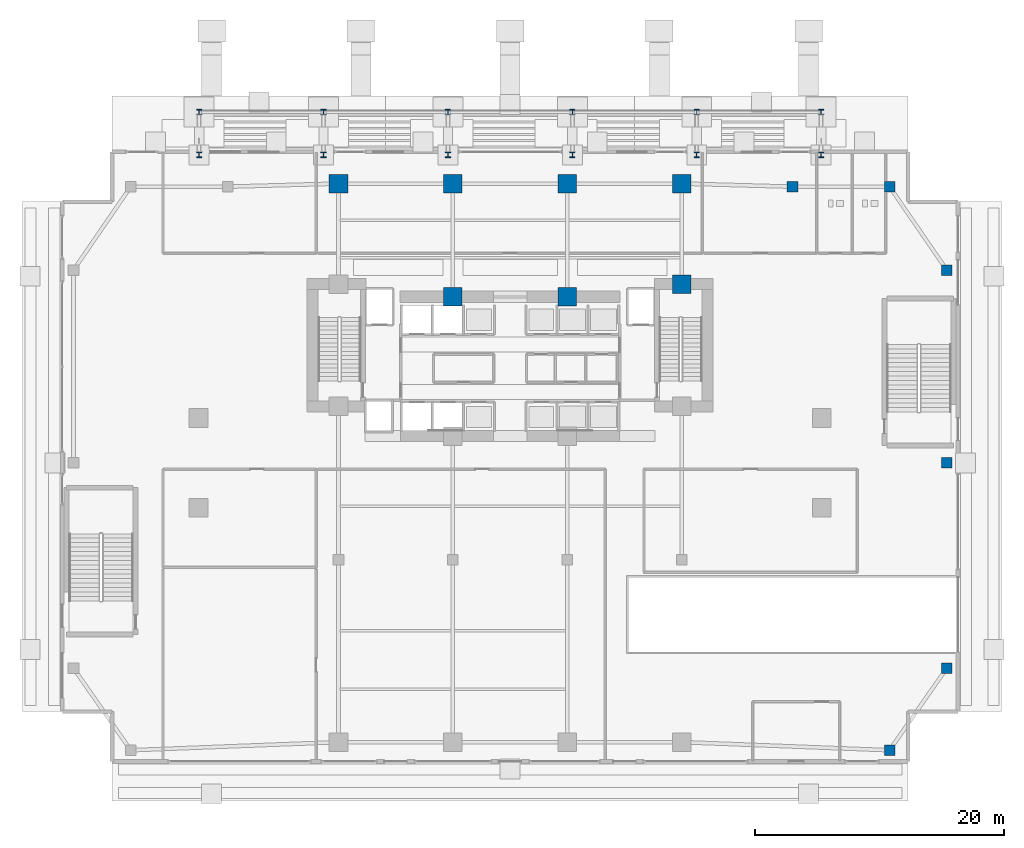
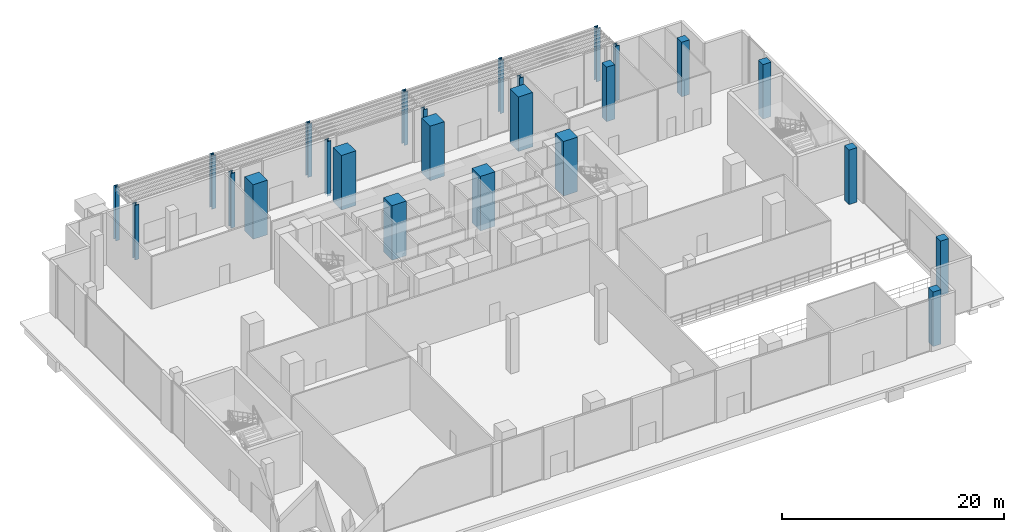
# One storey, part 2 of 39: 25 columns.
"""IFC4 building model written with IfcOpenShell, lengths in metres."""

import ifcopenshell
import ifcopenshell.guid

model = None  # the IFC model being written
_history = None  # IfcOwnerHistory: only IFC2X3 demands one
_inside = {}  # id of a spatial element -> (the spatial element, [elements in it])
_under = {}  # id of a project, library or spatial element -> (it, [spatial elements below it])
_declared = {}  # id of a project -> (the project, [libraries it declares])
_typed = {}  # id of a type object -> (the type object, [elements of that type])
_made_of = {}  # id of a material, layer set ... -> (it, [elements and type objects made of it])


def new_model(schema):
    """Start an empty IFC model of exactly this schema.

    Asked for "IFC4X3", IfcOpenShell would pick the latest addendum, in which some entities
    have other attributes; the version numbers below select the first issue.
    IFC2X3 requires an IfcOwnerHistory on every rooted entity: one is made here for all.
    """
    global model, _history
    if schema == "IFC4X3":
        model = ifcopenshell.file(schema_version=(4, 3, 0, 0))
    else:
        model = ifcopenshell.file(schema=schema)
    _inside.clear()
    _under.clear()
    _declared.clear()
    _typed.clear()
    _made_of.clear()
    _history = None
    if model.schema == "IFC2X3":
        org = make("IfcOrganization", Name="unknown")
        user = make(
            "IfcPersonAndOrganization",
            ThePerson=make("IfcPerson", FamilyName="unknown"),
            TheOrganization=org,
        )
        app = make(
            "IfcApplication",
            ApplicationDeveloper=org,
            Version="unknown",
            ApplicationFullName="unknown",
            ApplicationIdentifier="unknown",
        )
        _history = make(
            "IfcOwnerHistory",
            OwningUser=user,
            OwningApplication=app,
            ChangeAction="ADDED",
            CreationDate=0,
        )
    return model


def make(cls, **values):
    """One entity of the class cls with the attributes given. An attribute that is None is left unset."""
    return model.create_entity(
        cls, **{name: value for name, value in values.items() if value is not None}
    )


def rooted(cls, **values):
    """An entity with a GlobalId (a new one), such as an element, a storey or a relation."""
    return make(cls, GlobalId=ifcopenshell.guid.new(), OwnerHistory=_history, **values)


def si_unit(unit_type, name, prefix=None):
    """IfcSIUnit, for example si_unit("LENGTHUNIT", "METRE", prefix="MILLI")."""
    return make("IfcSIUnit", UnitType=unit_type, Prefix=prefix, Name=name)


def assignment(units):
    """IfcUnitAssignment: the units of a project."""
    return None if units is None else make("IfcUnitAssignment", Units=units)


def point(xyz):
    """IfcCartesianPoint."""
    return None if xyz is None else make("IfcCartesianPoint", Coordinates=xyz)


def direction(xyz):
    """IfcDirection."""
    return None if xyz is None else make("IfcDirection", DirectionRatios=xyz)


def frame(location, z_axis=None, x_axis=None):
    """IfcAxis2Placement3D, a coordinate frame: its origin and axes. An axis left out is left unset."""
    return make(
        "IfcAxis2Placement3D",
        Location=point(location),
        Axis=direction(z_axis),
        RefDirection=direction(x_axis),
    )


def frame_2d(location, x_axis=None):
    """IfcAxis2Placement2D, a coordinate frame in the plane: its origin and x axis."""
    return make(
        "IfcAxis2Placement2D", Location=point(location), RefDirection=direction(x_axis)
    )


def origin():
    """The frame at (0, 0, 0) with its axes left unset."""
    return frame((0.0, 0.0, 0.0))


def origin_2d():
    """The frame at (0, 0) in the plane with its x axis left unset."""
    return frame_2d((0.0, 0.0))


def place(relative_to, where):
    """IfcLocalPlacement: puts the frame where relative to a parent placement (None: the world)."""
    return make(
        "IfcLocalPlacement", PlacementRelTo=relative_to, RelativePlacement=where
    )


def context(
    kind, dimensions, precision=None, world=None, true_north=None, identifier=None
):
    """IfcGeometricRepresentationContext, for example the 3D "Model" context."""
    return make(
        "IfcGeometricRepresentationContext",
        ContextIdentifier=identifier,
        ContextType=kind,
        CoordinateSpaceDimension=dimensions,
        Precision=precision,
        WorldCoordinateSystem=world,
        TrueNorth=true_north,
    )


def subcontext(parent, identifier, kind, view, scale=None):
    """IfcGeometricRepresentationSubContext, for example "Body" below "Model"."""
    return make(
        "IfcGeometricRepresentationSubContext",
        ContextIdentifier=identifier,
        ContextType=kind,
        ParentContext=parent,
        TargetScale=scale,
        TargetView=view,
    )


def project(units=None, contexts=None):
    """IfcProject with its units and contexts."""
    return rooted(
        "IfcProject",
        Name="project",
        RepresentationContexts=contexts,
        UnitsInContext=assignment(units),
    )


def spatial(cls, under=None, at=None, **own):
    """A site, building, storey or space (cls), placed at a placement, below another one or the project."""
    s = rooted(cls, ObjectPlacement=at, **own)
    if under is not None:
        _under.setdefault(under.id(), (under, []))[1].append(s)
    return s


def profile(cls, at=None, kind="AREA", **sizes):
    """A parametric profile (cls). Its sizes go by their IFC names, for example OverallWidth=200.0."""
    return make(cls, ProfileType=kind, Position=at, **sizes)


def rectangle(**sizes):
    """IfcRectangleProfileDef."""
    return profile("IfcRectangleProfileDef", **sizes)


def i_section(**sizes):
    """IfcIShapeProfileDef."""
    return profile("IfcIShapeProfileDef", **sizes)


def extrude(swept, where, along, depth):
    """IfcExtrudedAreaSolid: the profile swept, set in the frame where, extruded along a direction by depth."""
    return make(
        "IfcExtrudedAreaSolid",
        SweptArea=swept,
        Position=where,
        ExtrudedDirection=direction(along),
        Depth=depth,
    )


def shape(context_of_items, identifier, shape_type, items):
    """IfcShapeRepresentation: the items that make up one representation, for example the "Body"."""
    return make(
        "IfcShapeRepresentation",
        ContextOfItems=context_of_items,
        RepresentationIdentifier=identifier,
        RepresentationType=shape_type,
        Items=items,
    )


def material(Name=None, Category=None):
    """IfcMaterial."""
    return make("IfcMaterial", Name=Name, Category=Category)


def material_profile(
    of_material, cross_section, Name=None, Category=None, Priority=None
):
    """IfcMaterialProfile: a cross section and its material."""
    return make(
        "IfcMaterialProfile",
        Name=Name,
        Material=of_material,
        Profile=cross_section,
        Priority=Priority,
        Category=Category,
    )


def profile_set(profiles, Name=None, composite=None):
    """IfcMaterialProfileSet."""
    return make(
        "IfcMaterialProfileSet",
        Name=Name,
        MaterialProfiles=profiles,
        CompositeProfile=composite,
    )


def made_of(thing, what):
    """Note that an element or type object is made of a material, layer set ...; save() writes the relation."""
    if what is not None:
        _made_of.setdefault(what.id(), (what, []))[1].append(thing)
    return thing


def type_object(cls, material=None, **own):
    """A type object (cls), such as IfcWallType, which elements share."""
    return made_of(rooted(cls, **own), material)


def element(
    cls,
    number,
    at=None,
    inside=None,
    cuts=None,
    type_object=None,
    material=None,
    context=None,
    identifier="Body",
    shape_type=None,
    held_by="IfcProductDefinitionShape",
    body=None,
    shapes=None,
    **own,
):
    """One element of the class cls, such as IfcWall. Its Tag is "e" and its number.

    at: its placement. inside: the storey or other place that contains it. cuts: it is an
    opening in that element (IfcRelVoidsElement). A single representation is given by context,
    identifier, shape_type and body (its items); several are given by shapes. held_by: the class
    of the entity that holds the representations. save() writes the other relations.
    """
    e = rooted(cls, Tag="e%d" % number, ObjectPlacement=at, **own)
    if body is not None:
        shapes = [shape(context, identifier, shape_type, body)]
    if shapes is not None:
        e.Representation = make(held_by, Representations=shapes)
    if inside is not None:
        _inside.setdefault(inside.id(), (inside, []))[1].append(e)
    if cuts is not None:
        rooted(
            "IfcRelVoidsElement", RelatingBuildingElement=cuts, RelatedOpeningElement=e
        )
    if type_object is not None:
        _typed.setdefault(type_object.id(), (type_object, []))[1].append(e)
    return made_of(e, material)


def aggregate(whole, parts):
    """IfcRelAggregates: a whole, such as a stair, and the parts it consists of."""
    return rooted("IfcRelAggregates", RelatingObject=whole, RelatedObjects=parts)


def save(model, path):
    """Write the relations noted so far, then the file.

    IfcRelAggregates (storeys below a building ...), IfcRelContainedInSpatialStructure (elements
    in a storey), IfcRelDefinesByType, IfcRelAssociatesMaterial and IfcRelDeclares: one each for
    every whole, place, type object, material and project.
    """
    for whole, parts in _under.values():
        aggregate(whole, parts)
    for where, things in _inside.values():
        rooted(
            "IfcRelContainedInSpatialStructure",
            RelatedElements=things,
            RelatingStructure=where,
        )
    for kind, things in _typed.values():
        rooted("IfcRelDefinesByType", RelatedObjects=things, RelatingType=kind)
    for what, things in _made_of.values():
        rooted("IfcRelAssociatesMaterial", RelatedObjects=things, RelatingMaterial=what)
    for by, libraries in _declared.values():
        rooted("IfcRelDeclares", RelatingContext=by, RelatedDefinitions=libraries)
    model.write(path)


model = new_model("IFC4")

# Units and contexts
model_context = context("Model", 3, precision=1e-05, world=origin(), true_north=direction((0.0, 1.0)))
body_context = subcontext(model_context, "Body", "Model", "MODEL_VIEW")
ifc_project = project(units=[si_unit("LENGTHUNIT", "METRE"), si_unit("AREAUNIT", "SQUARE_METRE"), si_unit("VOLUMEUNIT", "CUBIC_METRE"), si_unit("PLANEANGLEUNIT", "RADIAN"), si_unit("MASSUNIT", "GRAM", prefix="KILO")], contexts=[model_context])

# Site, building, storey
site_placement = place(None, origin())
site = spatial("IfcSite", under=ifc_project, at=site_placement, CompositionType="ELEMENT")
building_placement = place(site_placement, origin())
building = spatial("IfcBuilding", under=site, at=building_placement, Name="Zuhayl Quay Hotel", CompositionType="ELEMENT")
storey_placement = place(building_placement, origin())
storey = spatial("IfcBuildingStorey", under=building, at=storey_placement, Name="L00", CompositionType="ELEMENT", Elevation=0.0)

# Columns
ifc_material_1 = material(Name="Concrete C70/85", Category="concrete")
ifc_material_profile_1 = material_profile(ifc_material_1, rectangle(XDim=1.5, YDim=1.5, at=origin_2d()), Name="RC1500X1500")
ifc_profile_set_1 = profile_set([ifc_material_profile_1], Name="Concrete C70/85")
column_type_1 = type_object("IfcColumnType", Name="CL_CC1_1500", PredefinedType="COLUMN", material=ifc_profile_set_1)
for number, where, z_axis, x_axis, name in (
    (1, (-4.60009765625, 13.35009765625, 0.0), (0.0, 0.0, 1.0), (1.0, 0.0, 0.0), "L00 Core Column CC_CNW"),
    (2, (4.60009765625, 13.35009765625, 0.0), (0.0, 0.0, 1.0), (1.0, 0.0, 0.0), "L00 Core Column CC_CNE"),
    (3, (13.800048828125, 14.35009765625, 0.0), (0.0, 0.0, 1.0), (1.0, 0.0, 0.0), "L00 Core Column CC_NE"),
):
    element("IfcColumn", number, at=place(storey_placement, frame(where, z_axis=z_axis, x_axis=x_axis)), inside=storey, type_object=column_type_1, Name=name, PredefinedType="COLUMN", context=body_context, shape_type="SweptSolid", body=[
        extrude(rectangle(XDim=1.5, YDim=1.5, at=origin_2d()), origin(), (0.0, 0.0, 1.0), 6.0),
    ])
ifc_material_profile_2 = material_profile(ifc_material_1, rectangle(XDim=1.5, YDim=1.5, at=origin_2d()), Name="RC1500X1500")
ifc_profile_set_2 = profile_set([ifc_material_profile_2], Name="Concrete C70/85")
column_type_2 = type_object("IfcColumnType", Name="CL_MC1_1500", PredefinedType="COLUMN", material=ifc_profile_set_2)
for number, where, z_axis, x_axis, name in (
    (4, (-13.800048828125, 22.449951171875, 0.0), (0.0, 0.0, 1.0), (1.0, 0.0, 0.0), "L00 Mega-Column MC_N1"),
    (5, (-4.60009765625, 22.449951171875, 0.0), (0.0, 0.0, 1.0), (1.0, 0.0, 0.0), "L00 Mega-Column MC_N2"),
    (6, (4.60009765625, 22.449951171875, 0.0), (0.0, 0.0, 1.0), (1.0, 0.0, 0.0), "L00 Mega-Column MC_N3"),
    (7, (13.800048828125, 22.449951171875, 0.0), (0.0, 0.0, 1.0), (1.0, 0.0, 0.0), "L00 Mega-Column MC_N4"),
):
    element("IfcColumn", number, at=place(storey_placement, frame(where, z_axis=z_axis, x_axis=x_axis)), inside=storey, type_object=column_type_2, Name=name, PredefinedType="COLUMN", context=body_context, shape_type="SweptSolid", body=[
        extrude(rectangle(XDim=1.5, YDim=1.5, at=origin_2d()), origin(), (0.0, 0.0, 1.0), 6.0),
    ])
ifc_material_2 = material(Name="Concrete C50/60", Category="concrete")
ifc_material_profile_3 = material_profile(ifc_material_2, rectangle(XDim=0.85009765625, YDim=0.85009765625, at=origin_2d()), Name="RC850X850")
ifc_profile_set_3 = profile_set([ifc_material_profile_3], Name="Concrete C50/60")
column_type_3 = type_object("IfcColumnType", Name="CL_PC1_850", PredefinedType="COLUMN", material=ifc_profile_set_3)
for number, where, z_axis, x_axis, name in (
    (8, (30.5, -23.10009765625, 0.0), (0.0, 0.0, 1.0), (1.0, 0.0, 0.0), "L00 Podium Column PC_SE"),
    (9, (30.5, 22.199951171875, 0.0), (0.0, 0.0, 1.0), (1.0, 0.0, 0.0), "L00 Podium Column PC_NE"),
    (10, (35.10009765625, -16.5, 0.0), (0.0, 0.0, 1.0), (1.0, 0.0, 0.0), "L00 Podium Column PC_E1"),
    (11, (35.10009765625, 0.0, 0.0), (0.0, 0.0, 1.0), (1.0, 0.0, 0.0), "L00 Podium Column PC_E2"),
    (12, (35.10009765625, 15.5, 0.0), (0.0, 0.0, 1.0), (1.0, 0.0, 0.0), "L00 Podium Column PC_E3"),
    (13, (22.699951171875, 22.199951171875, 0.0), (0.0, 0.0, 1.0), (1.0, 0.0, 0.0), "L00 Podium Column PC_N2"),
):
    element("IfcColumn", number, at=place(storey_placement, frame(where, z_axis=z_axis, x_axis=x_axis)), inside=storey, type_object=column_type_3, Name=name, PredefinedType="COLUMN", context=body_context, shape_type="SweptSolid", body=[
        extrude(rectangle(XDim=0.85009765625, YDim=0.85009765625, at=origin_2d()), origin(), (0.0, 0.0, 1.0), 6.0),
    ])
ifc_material_3 = material(Name="Steel ASTM A913 Grade 65", Category="steel")
ifc_material_profile_4 = material_profile(ifc_material_3, i_section(OverallWidth=0.416015625, OverallDepth=0.445068359375, WebThickness=0.0390625, FlangeThickness=0.062744140625, at=origin_2d()), Name="W14X342")
ifc_profile_set_4 = profile_set([ifc_material_profile_4], Name="Steel ASTM A913 Grade 65")
column_type_4 = type_object("IfcColumnType", Name="CL_PIL_W14_342", PredefinedType="PILASTER", material=ifc_profile_set_4)
for number, where, z_axis, x_axis, name in (
    (14, (-25.0, 24.75, -0.27001953125), (0.0, 0.0, 1.0), (1.0, 0.0, 0.0), "L00 Waterfront Facade Pilaster PL1-01"),
    (15, (-15.0, 24.75, -0.27001953125), (0.0, 0.0, 1.0), (1.0, 0.0, 0.0), "L00 Waterfront Facade Pilaster PL1-02"),
    (16, (-5.0, 24.75, -0.27001953125), (0.0, 0.0, 1.0), (1.0, 0.0, 0.0), "L00 Waterfront Facade Pilaster PL1-03"),
    (17, (5.0, 24.75, -0.27001953125), (0.0, 0.0, 1.0), (1.0, 0.0, 0.0), "L00 Waterfront Facade Pilaster PL1-04"),
    (18, (15.0, 24.75, -0.27001953125), (0.0, 0.0, 1.0), (1.0, 0.0, 0.0), "L00 Waterfront Facade Pilaster PL1-05"),
    (19, (25.0, 24.75, -0.27001953125), (0.0, 0.0, 1.0), (1.0, 0.0, 0.0), "L00 Waterfront Facade Pilaster PL1-06"),
):
    element("IfcColumn", number, at=place(storey_placement, frame(where, z_axis=z_axis, x_axis=x_axis)), inside=storey, type_object=column_type_4, Name=name, PredefinedType="PILASTER", context=body_context, shape_type="SweptSolid", body=[
        extrude(i_section(OverallWidth=0.416015625, OverallDepth=0.445068359375, WebThickness=0.0390625, FlangeThickness=0.062744140625, at=origin_2d()), origin(), (0.0, 0.0, 1.0), 6.02001953125),
    ])
ifc_material_profile_5 = material_profile(ifc_material_3, i_section(OverallWidth=0.416015625, OverallDepth=0.446044921875, WebThickness=0.0390625, FlangeThickness=0.062744140625, at=origin_2d()), Name="HD400X509")
ifc_profile_set_5 = profile_set([ifc_material_profile_5], Name="Steel ASTM A913 Grade 65")
column_type_5 = type_object("IfcColumnType", Name="CL_SC2_HD509", PredefinedType="COLUMN", material=ifc_profile_set_5)
for number, where, z_axis, x_axis, name in (
    (20, (-15.0, 28.199951171875, -0.27001953125), (0.0, 0.0, 1.0), (1.0, 0.0, 0.0), "L00 Waterfront Colonnade Column WC-02"),
    (21, (5.0, 28.199951171875, -0.27001953125), (0.0, 0.0, 1.0), (1.0, 0.0, 0.0), "L00 Waterfront Colonnade Column WC-04"),
    (22, (25.0, 28.199951171875, -0.27001953125), (0.0, 0.0, 1.0), (1.0, 0.0, 0.0), "L00 Waterfront Colonnade Column WC-06"),
):
    element("IfcColumn", number, at=place(storey_placement, frame(where, z_axis=z_axis, x_axis=x_axis)), inside=storey, type_object=column_type_5, Name=name, PredefinedType="COLUMN", context=body_context, shape_type="SweptSolid", body=[
        extrude(i_section(OverallWidth=0.416015625, OverallDepth=0.446044921875, WebThickness=0.0390625, FlangeThickness=0.062744140625, at=origin_2d()), origin(), (0.0, 0.0, 1.0), 5.8701171875),
    ])
ifc_material_profile_6 = material_profile(ifc_material_3, i_section(OverallWidth=0.408935546875, OverallDepth=0.425048828125, WebThickness=0.03271484375, FlangeThickness=0.052490234375, at=origin_2d()), Name="W14X283")
ifc_profile_set_6 = profile_set([ifc_material_profile_6], Name="Steel ASTM A913 Grade 65")
column_type_6 = type_object("IfcColumnType", Name="CL_SC4_W14_283", PredefinedType="COLUMN", material=ifc_profile_set_6)
for number, where, z_axis, x_axis, name in (
    (23, (-25.0, 28.199951171875, -0.27001953125), (0.0, 0.0, 1.0), (1.0, 0.0, 0.0), "L00 Waterfront Colonnade Column WC-01"),
    (24, (-5.0, 28.199951171875, -0.27001953125), (0.0, 0.0, 1.0), (1.0, 0.0, 0.0), "L00 Waterfront Colonnade Column WC-03"),
    (25, (15.0, 28.199951171875, -0.27001953125), (0.0, 0.0, 1.0), (1.0, 0.0, 0.0), "L00 Waterfront Colonnade Column WC-05"),
):
    element("IfcColumn", number, at=place(storey_placement, frame(where, z_axis=z_axis, x_axis=x_axis)), inside=storey, type_object=column_type_6, Name=name, PredefinedType="COLUMN", context=body_context, shape_type="SweptSolid", body=[
        extrude(i_section(OverallWidth=0.408935546875, OverallDepth=0.425048828125, WebThickness=0.03271484375, FlangeThickness=0.052490234375, at=origin_2d()), origin(), (0.0, 0.0, 1.0), 5.8701171875),
    ])

save(model, "model.ifc")
